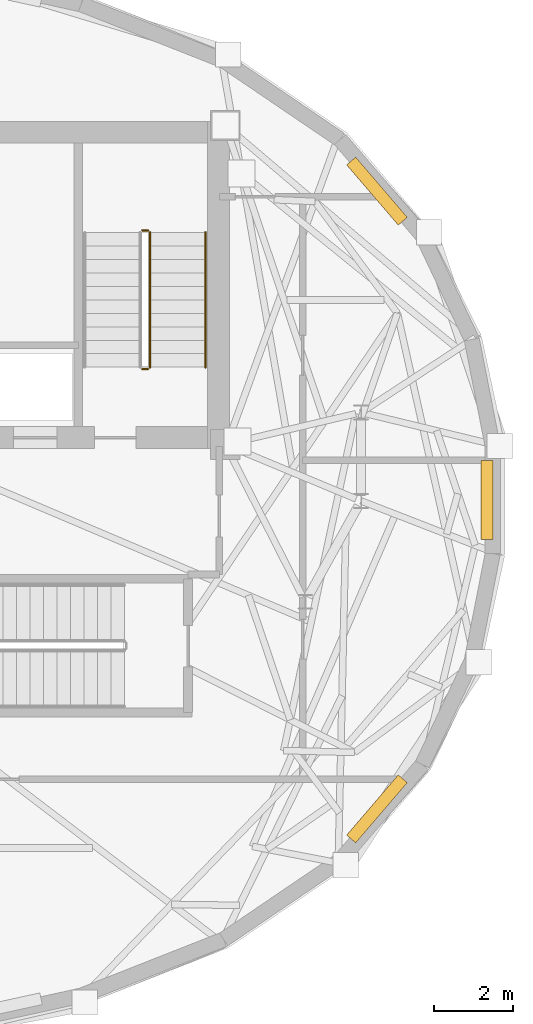
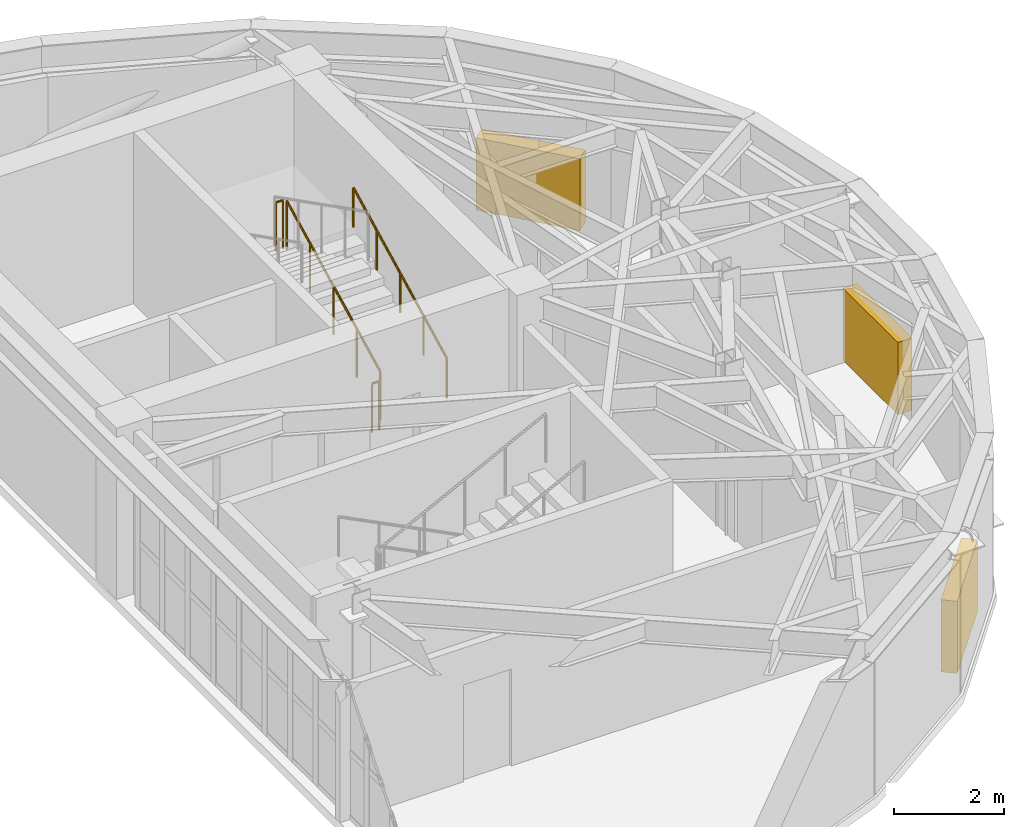
# One storey, part 13 of 13: 4 railings, 3 shading devices.
"""IFC4 building model written with IfcOpenShell, lengths in metres."""

from ifc_helpers import new_model, si_unit, direction, frame, origin, origin_2d, place, context, subcontext, project, spatial, rectangle, circle, extrude, material, type_object, element, save


model = new_model("IFC4")

# Units and contexts
model_context = context("Model", 3, precision=1e-05, world=origin(), true_north=direction((0.0, 1.0)))
body_context = subcontext(model_context, "Body", "Model", "MODEL_VIEW")
ifc_project = project(units=[si_unit("LENGTHUNIT", "METRE"), si_unit("AREAUNIT", "SQUARE_METRE"), si_unit("VOLUMEUNIT", "CUBIC_METRE"), si_unit("PLANEANGLEUNIT", "RADIAN"), si_unit("MASSUNIT", "GRAM", prefix="KILO")], contexts=[model_context])

# Site, building, storey
site_placement = place(None, origin())
site = spatial("IfcSite", under=ifc_project, at=site_placement, CompositionType="ELEMENT")
building_placement = place(site_placement, origin())
building = spatial("IfcBuilding", under=site, at=building_placement, Name="Keldmark Tower", CompositionType="ELEMENT")
storey_placement = place(building_placement, frame((0.0, 0.0, 273.0)))
storey = spatial("IfcBuildingStorey", under=building, at=storey_placement, Name="L77", CompositionType="ELEMENT", Elevation=273.0)

# Shading devices
ifc_material_1 = material(Name="Fluoropolymer-Coated Extruded Aluminum Stormproof Blades", Category="aluminium")
shading_device_type = type_object("IfcShadingDeviceType", Name="Mechanical Floor Acoustic Intake Louvre", PredefinedType="JALOUSIE", material=ifc_material_1)
for number, where, z_axis, x_axis, name in (
    (1, (17.42578125, 7.79248046875, 0.0), (0.0, 0.0, 1.0), (-0.650800720438, 0.759248590567, 0.0), "L77 Crown Screen Acoustic Louvre E04"),
    (2, (20.20556640625, 0.0, 0.0), (0.0, 0.0, 1.0), (0.0, 1.0, 0.0), "L77 Crown Screen Acoustic Louvre E07"),
    (3, (17.42578125, -7.79248046875, 0.0), (0.0, 0.0, 1.0), (0.650800720438, 0.759248590567, 0.0), "L77 Crown Screen Acoustic Louvre E10"),
):
    element("IfcShadingDevice", number, at=place(storey_placement, frame(where, z_axis=z_axis, x_axis=x_axis)), inside=storey, type_object=shading_device_type, Name=name, PredefinedType="JALOUSIE", context=body_context, shape_type="SweptSolid", body=[
        extrude(rectangle(XDim=2.0, YDim=0.300048828125, at=origin_2d()), origin(), (0.0, 0.0, 1.0), 1.60009765625),
    ])

# Railings
ifc_material_2 = material(Name="Painted Steel ASTM A500 Grade B", Category="steel")
railing_type_1 = type_object("IfcRailingType", Name="Painted Steel Stair Well Guard 1100 mm", PredefinedType="GUARDRAIL", material=ifc_material_2)
railing_1_placement = place(storey_placement, frame((11.699951171875, 3.35009765625, 0.172607421875)))
element("IfcRailing", 4, at=railing_1_placement, inside=storey, type_object=railing_type_1, Name="L77 ST2 stair guard 1", PredefinedType="GUARDRAIL", context=body_context, shape_type="SweptSolid", body=[
    extrude(circle(Radius=0.02392578125, at=origin_2d()), frame((0.0, 0.0, 1.076171875), z_axis=(0.0, 0.89154070688, 0.452940578858), x_axis=(-1.0, 0.0, 0.0)), (0.0, 0.0, 1.0), 3.8134765625),
    extrude(circle(Radius=0.02099609375, at=origin_2d()), origin(), (0.0, 0.0, 1.0), 1.052001953125),
    extrude(circle(Radius=0.02099609375, at=origin_2d()), frame((0.0, 0.85009765625, 0.431884765625)), (0.0, 0.0, 1.0), 1.052001953125),
    extrude(circle(Radius=0.02099609375, at=origin_2d()), frame((0.0, 1.699951171875, 0.86376953125)), (0.0, 0.0, 1.0), 1.052001953125),
    extrude(circle(Radius=0.02099609375, at=origin_2d()), frame((0.0, 2.5498046875, 1.29541015625)), (0.0, 0.0, 1.0), 1.052001953125),
    extrude(circle(Radius=0.02099609375, at=origin_2d()), frame((0.0, 3.39990234375, 1.727294921875)), (0.0, 0.0, 1.0), 1.052001953125),
])
for number, where, name in (
    (5, (11.64990234375, 6.800048828125, 1.89990234375), "L77 ST2 stair guard 2"),
    (6, (11.64990234375, 3.300048828125, 0.0), "L77 ST2 stair guard 4"),
):
    element("IfcRailing", number, at=place(storey_placement, frame(where)), inside=storey, type_object=railing_type_1, Name=name, PredefinedType="GUARDRAIL", context=body_context, shape_type="SweptSolid", body=[
        extrude(circle(Radius=0.02392578125, at=origin_2d()), frame((0.0, 0.0, 1.076171875), z_axis=(-1.0, 0.0, 0.0), x_axis=(0.0, -1.0, 0.0)), (0.0, 0.0, 1.0), 0.14990234375),
        extrude(circle(Radius=0.02099609375, at=origin_2d()), origin(), (0.0, 0.0, 1.0), 1.052001953125),
        extrude(circle(Radius=0.02099609375, at=origin_2d()), frame((-0.14990234375, 0.0, 0.0)), (0.0, 0.0, 1.0), 1.052001953125),
    ])
ifc_material_3 = material(Name="Stainless Steel AISI 316L", Category="steel")
railing_type_2 = type_object("IfcRailingType", Name="Stainless Steel Stair Handrail 900 mm", PredefinedType="HANDRAIL", material=ifc_material_3)
railing_2_placement = place(storey_placement, frame((13.10009765625, 3.35009765625, 0.172607421875)))
element("IfcRailing", 7, at=railing_2_placement, inside=storey, type_object=railing_type_2, Name="L77 ST2 stair handrail 1", PredefinedType="HANDRAIL", context=body_context, shape_type="SweptSolid", body=[
    extrude(circle(Radius=0.02392578125, at=origin_2d()), frame((0.0, 0.0, 0.8759765625), z_axis=(0.0, 0.89154070688, 0.452940578858), x_axis=(-1.0, 0.0, 0.0)), (0.0, 0.0, 1.0), 3.8134765625),
    extrude(circle(Radius=0.02099609375, at=origin_2d()), origin(), (0.0, 0.0, 1.0), 0.851806640625),
    extrude(circle(Radius=0.02099609375, at=origin_2d()), frame((0.0, 0.85009765625, 0.431884765625)), (0.0, 0.0, 1.0), 0.851806640625),
    extrude(circle(Radius=0.02099609375, at=origin_2d()), frame((0.0, 1.699951171875, 0.86376953125)), (0.0, 0.0, 1.0), 0.851806640625),
    extrude(circle(Radius=0.02099609375, at=origin_2d()), frame((0.0, 2.5498046875, 1.29541015625)), (0.0, 0.0, 1.0), 0.851806640625),
    extrude(circle(Radius=0.02099609375, at=origin_2d()), frame((0.0, 3.39990234375, 1.727294921875)), (0.0, 0.0, 1.0), 0.851806640625),
])

save(model, "model.ifc")
